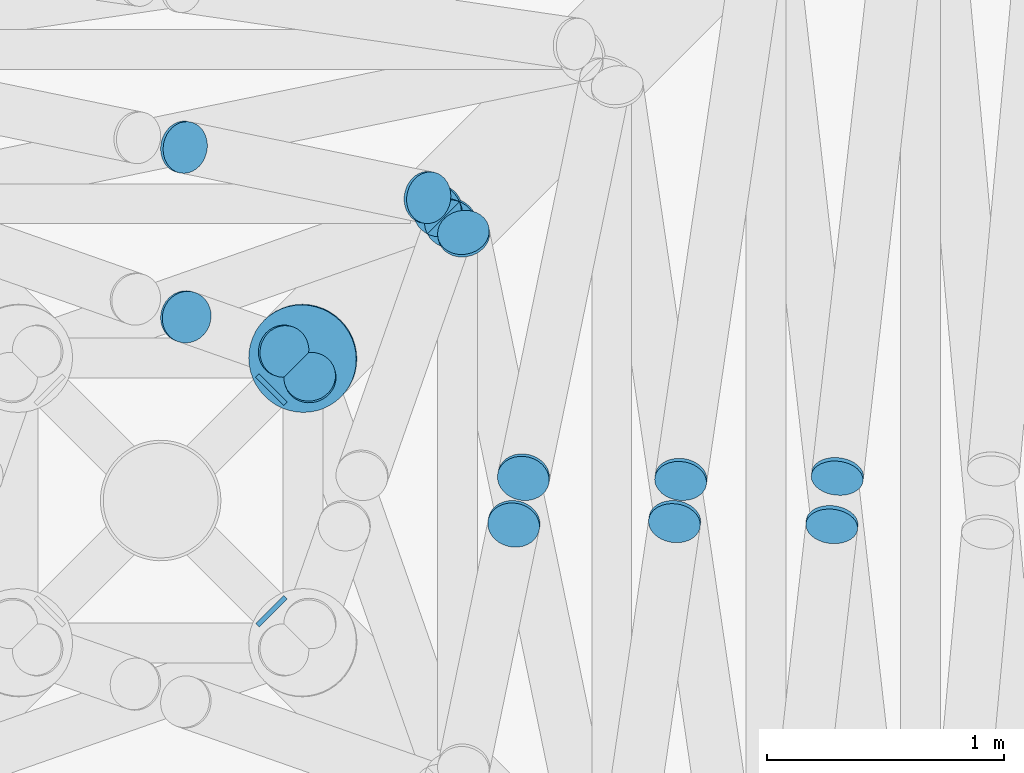
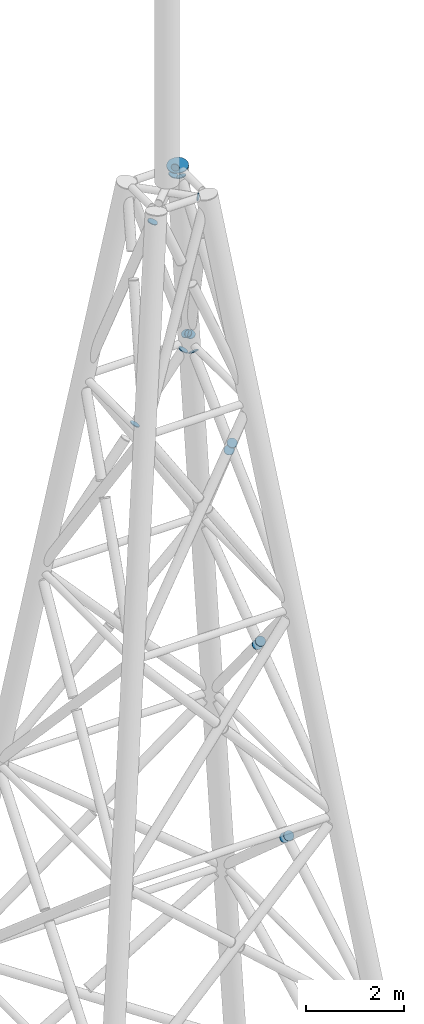
# One storey, part 9 of 10: 17 discrete accessories.
"""IFC4 building model written with IfcOpenShell, lengths in metres."""

from ifc_helpers import new_model, si_unit, direction, frame, origin, origin_2d, place, context, subcontext, project, spatial, circle, extrude, material, material_profile, profile_set, type_object, element, save


model = new_model("IFC4")

# Units and contexts
model_context = context("Model", 3, precision=1e-05, world=origin(), true_north=direction((0.0, 1.0)))
body_context = subcontext(model_context, "Body", "Model", "MODEL_VIEW")
ifc_project = project(units=[si_unit("LENGTHUNIT", "METRE"), si_unit("AREAUNIT", "SQUARE_METRE"), si_unit("VOLUMEUNIT", "CUBIC_METRE"), si_unit("PLANEANGLEUNIT", "RADIAN"), si_unit("MASSUNIT", "GRAM", prefix="KILO")], contexts=[model_context])

# Site, building, storey
site_placement = place(None, origin())
site = spatial("IfcSite", under=ifc_project, at=site_placement, CompositionType="ELEMENT")
building_placement = place(site_placement, origin())
building = spatial("IfcBuilding", under=site, at=building_placement, Name="Dhurran Vertical Campus", CompositionType="ELEMENT")
storey_placement = place(building_placement, frame((0.0, 0.0, 345.89990234375)))
storey = spatial("IfcBuildingStorey", under=building, at=storey_placement, Name="Upper Roof", CompositionType="ELEMENT", Elevation=345.89990234375)

# Discrete accessories
ifc_material_1 = material(Name="Steel S355J2", Category="steel")
ifc_material_profile_1 = material_profile(ifc_material_1, circle(Radius=0.084228515625, at=origin_2d()), Name="Tube end cap 168 x 20")
ifc_profile_set_1 = profile_set([ifc_material_profile_1], Name="Steel S355J2")
discrete_accessory_type_1 = type_object("IfcDiscreteAccessoryType", Name="Tube end cap 168 x 20", PredefinedType="USERDEFINED", material=ifc_profile_set_1)
for number, where, z_axis, x_axis, name in (
    (1, (0.459716796875, 0.459716796875, 31.684326171875), (0.707106781187, 0.707106781187, 0.0), (-0.707106781187, 0.707106781187, 0.0), "EC1 mast head 1 capB"),
    (2, (0.459716796875, -0.459716796875, 31.515869140625), (0.707106781187, -0.707106781187, 0.0), (0.707106781187, 0.707106781187, 0.0), "EC1 mast head 2 capA"),
):
    element("IfcDiscreteAccessory", number, at=place(storey_placement, frame(where, z_axis=z_axis, x_axis=x_axis)), inside=storey, type_object=discrete_accessory_type_1, Name=name, ObjectType="END CAP", PredefinedType="USERDEFINED", context=body_context, shape_type="SweptSolid", body=[
        extrude(circle(Radius=0.084228515625, at=origin_2d()), origin(), (0.0, 0.0, 1.0), 0.019775390625),
    ])
ifc_material_2 = material(Name="Steel S355J2", Category="steel")
ifc_material_profile_2 = material_profile(ifc_material_2, circle(Radius=0.109619140625, at=origin_2d()), Name="Tube end cap 219 x 20")
ifc_profile_set_2 = profile_set([ifc_material_profile_2], Name="Steel S355J2")
discrete_accessory_type_2 = type_object("IfcDiscreteAccessoryType", Name="Tube end cap 219 x 20", PredefinedType="USERDEFINED", material=ifc_profile_set_2)
discrete_accessory_1_placement = place(storey_placement, frame((2.8505859375, 0.10888671875, 14.2880859375), z_axis=(-0.086301450836, -0.752055500146, 0.653425270619), x_axis=(0.993480071526, -0.114005909847, 0.0)))
element("IfcDiscreteAccessory", 3, at=discrete_accessory_1_placement, inside=storey, type_object=discrete_accessory_type_2, Name="EC1 mast diag 2 029 capB", ObjectType="END CAP", PredefinedType="USERDEFINED", context=body_context, shape_type="SweptSolid", body=[
    extrude(circle(Radius=0.109619140625, at=origin_2d()), origin(), (0.0, 0.0, 1.0), 0.019775390625),
])
for number, where, z_axis, x_axis, name in (
    (4, (2.825927734375, -0.10888671875, 14.4775390625), (0.085608099119, 0.746013435179, -0.66040533606), (-0.993480071526, 0.114005909847, 0.0), "EC1 mast diag 2 030 capA"),
    (5, (2.19140625, 0.095458984375, 19.358154296875), (-0.085608099119, -0.66040533606, 0.746013435179), (0.991702506662, -0.128554028641, 0.0), "EC1 mast diag 3 041 capB"),
    (6, (2.16357421875, -0.095458984375, 19.572509765625), (0.097728262603, 0.659665772572, -0.74517800235), (-0.989203462354, 0.146548661089, 0.0), "EC1 mast diag 3 042 capA"),
    (7, (1.277099609375, 1.118408203125, 26.39111328125), (-0.110026423098, 0.525681799245, 0.843535910417), (-0.978790625253, -0.204863154123, 0.0), "EC1 mast diag 4 052 capB"),
    (8, (1.529296875, 0.103515625, 24.45166015625), (-0.110026423098, -0.525681799245, 0.843535910417), (0.978790625253, -0.204863154123, 0.0), "EC1 mast diag 4 053 capB"),
    (9, (1.486572265625, -0.103515625, 24.7802734375), (0.110026423098, 0.525681799245, -0.843535910417), (-0.978790625253, 0.204863154123, 0.0), "EC1 mast diag 4 054 capA"),
    (10, (0.103515625, 1.486572265625, 24.7802734375), (-0.525681799245, 0.110026423098, -0.843535910417), (-0.204863154123, -0.978790625253, 0.0), "EC1 mast diag 4 057 capA"),
    (11, (1.118408203125, 1.277099609375, 26.39111328125), (0.525681799245, -0.110026423098, 0.843535910417), (0.204863154123, 0.978790625253, 0.0), "EC1 mast diag 4 057 capB"),
    (12, (0.630126953125, 0.514404296875, 31.368896484375), (-0.122535770349, 0.343100156977, 0.931271854652), (-0.941741911595, -0.336336396998, 0.0), "EC1 mast diag 5 064 capB"),
    (13, (1.219970703125, 1.164306640625, 26.831298828125), (0.122014747594, 0.353842768022, -0.927312081712), (-0.945372981626, 0.325990683319, 0.0), "EC1 mast diag 5 065 capA"),
    (14, (1.164306640625, 1.219970703125, 26.831298828125), (0.353842768022, 0.122014747594, -0.927312081712), (-0.325990683319, 0.945372981626, 0.0), "EC1 mast diag 5 067 capA"),
    (15, (0.109619140625, 0.772216796875, 30.275146484375), (-0.343100156977, 0.122535770349, -0.931271854652), (-0.336336396998, -0.941741911595, 0.0), "EC1 mast diag 5 069 capA"),
    (16, (0.514404296875, 0.630126953125, 31.368896484375), (0.343100156977, -0.122535770349, 0.931271854652), (0.336336396998, 0.941741911595, 0.0), "EC1 mast diag 5 069 capB"),
):
    element("IfcDiscreteAccessory", number, at=place(storey_placement, frame(where, z_axis=z_axis, x_axis=x_axis)), inside=storey, type_object=discrete_accessory_type_2, Name=name, ObjectType="END CAP", PredefinedType="USERDEFINED", context=body_context, shape_type="SweptSolid", body=[
        extrude(circle(Radius=0.109619140625, at=origin_2d()), origin(), (0.0, 0.0, 1.0), 0.02001953125),
    ])
ifc_material_3 = material(Name="Steel S355J2", Category="steel")
ifc_material_profile_3 = material_profile(ifc_material_3, circle(Radius=0.228515625, at=origin_2d()), Name="Tube end cap 457 x 20")
ifc_profile_set_3 = profile_set([ifc_material_profile_3], Name="Steel S355J2")
discrete_accessory_type_3 = type_object("IfcDiscreteAccessoryType", Name="Tube end cap 457 x 20", PredefinedType="USERDEFINED", material=ifc_profile_set_3)
discrete_accessory_2_placement = place(storey_placement, frame((0.60009765625, 0.60009765625, 31.60009765625), z_axis=(-0.133365178225, -0.133365178225, 0.982052676018), x_axis=(0.707106781187, -0.707106781187, 0.0)))
element("IfcDiscreteAccessory", 17, at=discrete_accessory_2_placement, inside=storey, type_object=discrete_accessory_type_3, Name="EC1 mast leg3 cap", ObjectType="END CAP", PredefinedType="USERDEFINED", context=body_context, shape_type="SweptSolid", body=[
    extrude(circle(Radius=0.228515625, at=origin_2d()), origin(), (0.0, 0.0, 1.0), 0.02001953125),
])

save(model, "model.ifc")
